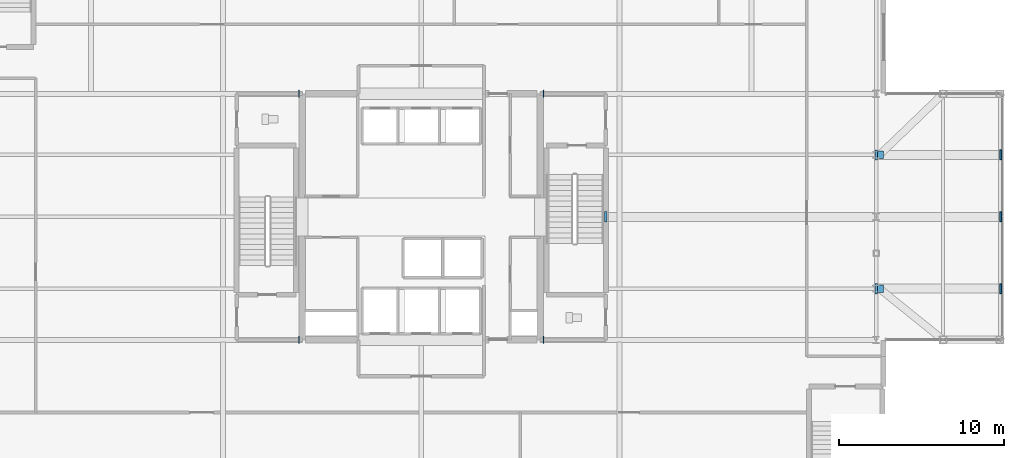
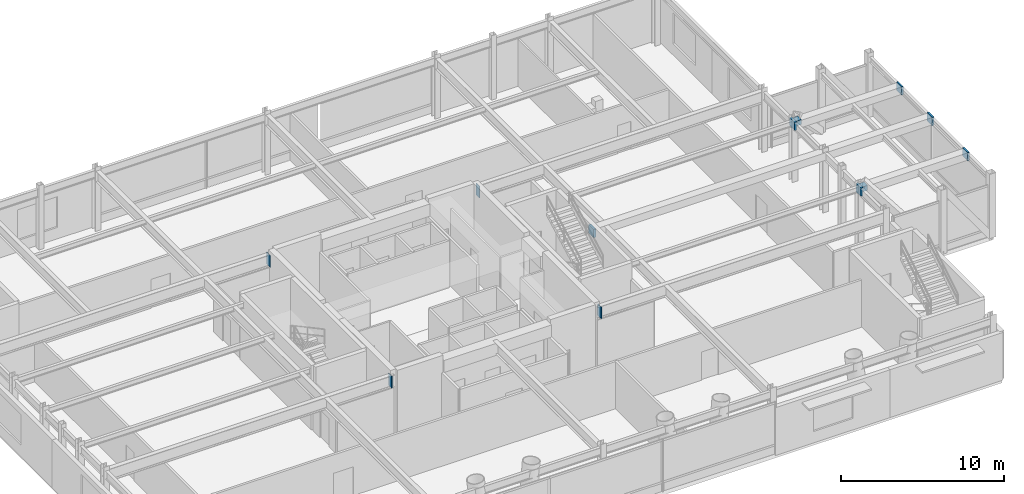
# One storey, part 18 of 26: 12 plates.
"""IFC4 building model written with IfcOpenShell, lengths in metres."""

import ifcopenshell
import ifcopenshell.guid

model = None  # the IFC model being written
_history = None  # IfcOwnerHistory: only IFC2X3 demands one
_inside = {}  # id of a spatial element -> (the spatial element, [elements in it])
_under = {}  # id of a project, library or spatial element -> (it, [spatial elements below it])
_declared = {}  # id of a project -> (the project, [libraries it declares])
_typed = {}  # id of a type object -> (the type object, [elements of that type])
_made_of = {}  # id of a material, layer set ... -> (it, [elements and type objects made of it])


def new_model(schema):
    """Start an empty IFC model of exactly this schema.

    Asked for "IFC4X3", IfcOpenShell would pick the latest addendum, in which some entities
    have other attributes; the version numbers below select the first issue.
    IFC2X3 requires an IfcOwnerHistory on every rooted entity: one is made here for all.
    """
    global model, _history
    if schema == "IFC4X3":
        model = ifcopenshell.file(schema_version=(4, 3, 0, 0))
    else:
        model = ifcopenshell.file(schema=schema)
    _inside.clear()
    _under.clear()
    _declared.clear()
    _typed.clear()
    _made_of.clear()
    _history = None
    if model.schema == "IFC2X3":
        org = make("IfcOrganization", Name="unknown")
        user = make(
            "IfcPersonAndOrganization",
            ThePerson=make("IfcPerson", FamilyName="unknown"),
            TheOrganization=org,
        )
        app = make(
            "IfcApplication",
            ApplicationDeveloper=org,
            Version="unknown",
            ApplicationFullName="unknown",
            ApplicationIdentifier="unknown",
        )
        _history = make(
            "IfcOwnerHistory",
            OwningUser=user,
            OwningApplication=app,
            ChangeAction="ADDED",
            CreationDate=0,
        )
    return model


def make(cls, **values):
    """One entity of the class cls with the attributes given. An attribute that is None is left unset."""
    return model.create_entity(
        cls, **{name: value for name, value in values.items() if value is not None}
    )


def rooted(cls, **values):
    """An entity with a GlobalId (a new one), such as an element, a storey or a relation."""
    return make(cls, GlobalId=ifcopenshell.guid.new(), OwnerHistory=_history, **values)


def si_unit(unit_type, name, prefix=None):
    """IfcSIUnit, for example si_unit("LENGTHUNIT", "METRE", prefix="MILLI")."""
    return make("IfcSIUnit", UnitType=unit_type, Prefix=prefix, Name=name)


def assignment(units):
    """IfcUnitAssignment: the units of a project."""
    return None if units is None else make("IfcUnitAssignment", Units=units)


def point(xyz):
    """IfcCartesianPoint."""
    return None if xyz is None else make("IfcCartesianPoint", Coordinates=xyz)


def direction(xyz):
    """IfcDirection."""
    return None if xyz is None else make("IfcDirection", DirectionRatios=xyz)


def frame(location, z_axis=None, x_axis=None):
    """IfcAxis2Placement3D, a coordinate frame: its origin and axes. An axis left out is left unset."""
    return make(
        "IfcAxis2Placement3D",
        Location=point(location),
        Axis=direction(z_axis),
        RefDirection=direction(x_axis),
    )


def frame_2d(location, x_axis=None):
    """IfcAxis2Placement2D, a coordinate frame in the plane: its origin and x axis."""
    return make(
        "IfcAxis2Placement2D", Location=point(location), RefDirection=direction(x_axis)
    )


def origin():
    """The frame at (0, 0, 0) with its axes left unset."""
    return frame((0.0, 0.0, 0.0))


def origin_2d():
    """The frame at (0, 0) in the plane with its x axis left unset."""
    return frame_2d((0.0, 0.0))


def place(relative_to, where):
    """IfcLocalPlacement: puts the frame where relative to a parent placement (None: the world)."""
    return make(
        "IfcLocalPlacement", PlacementRelTo=relative_to, RelativePlacement=where
    )


def context(
    kind, dimensions, precision=None, world=None, true_north=None, identifier=None
):
    """IfcGeometricRepresentationContext, for example the 3D "Model" context."""
    return make(
        "IfcGeometricRepresentationContext",
        ContextIdentifier=identifier,
        ContextType=kind,
        CoordinateSpaceDimension=dimensions,
        Precision=precision,
        WorldCoordinateSystem=world,
        TrueNorth=true_north,
    )


def subcontext(parent, identifier, kind, view, scale=None):
    """IfcGeometricRepresentationSubContext, for example "Body" below "Model"."""
    return make(
        "IfcGeometricRepresentationSubContext",
        ContextIdentifier=identifier,
        ContextType=kind,
        ParentContext=parent,
        TargetScale=scale,
        TargetView=view,
    )


def project(units=None, contexts=None):
    """IfcProject with its units and contexts."""
    return rooted(
        "IfcProject",
        Name="project",
        RepresentationContexts=contexts,
        UnitsInContext=assignment(units),
    )


def spatial(cls, under=None, at=None, **own):
    """A site, building, storey or space (cls), placed at a placement, below another one or the project."""
    s = rooted(cls, ObjectPlacement=at, **own)
    if under is not None:
        _under.setdefault(under.id(), (under, []))[1].append(s)
    return s


def profile(cls, at=None, kind="AREA", **sizes):
    """A parametric profile (cls). Its sizes go by their IFC names, for example OverallWidth=200.0."""
    return make(cls, ProfileType=kind, Position=at, **sizes)


def rectangle(**sizes):
    """IfcRectangleProfileDef."""
    return profile("IfcRectangleProfileDef", **sizes)


def extrude(swept, where, along, depth):
    """IfcExtrudedAreaSolid: the profile swept, set in the frame where, extruded along a direction by depth."""
    return make(
        "IfcExtrudedAreaSolid",
        SweptArea=swept,
        Position=where,
        ExtrudedDirection=direction(along),
        Depth=depth,
    )


def shape(context_of_items, identifier, shape_type, items):
    """IfcShapeRepresentation: the items that make up one representation, for example the "Body"."""
    return make(
        "IfcShapeRepresentation",
        ContextOfItems=context_of_items,
        RepresentationIdentifier=identifier,
        RepresentationType=shape_type,
        Items=items,
    )


def material(Name=None, Category=None):
    """IfcMaterial."""
    return make("IfcMaterial", Name=Name, Category=Category)


def layer(
    of_material, thickness, ventilated=None, Name=None, Category=None, Priority=None
):
    """IfcMaterialLayer: one layer of a wall or slab, of a material (None: an air gap)."""
    return make(
        "IfcMaterialLayer",
        Material=of_material,
        LayerThickness=thickness,
        IsVentilated=ventilated,
        Name=Name,
        Category=Category,
        Priority=Priority,
    )


def layer_set(layers, Name=None):
    """IfcMaterialLayerSet."""
    return make("IfcMaterialLayerSet", MaterialLayers=layers, LayerSetName=Name)


def made_of(thing, what):
    """Note that an element or type object is made of a material, layer set ...; save() writes the relation."""
    if what is not None:
        _made_of.setdefault(what.id(), (what, []))[1].append(thing)
    return thing


def type_object(cls, material=None, **own):
    """A type object (cls), such as IfcWallType, which elements share."""
    return made_of(rooted(cls, **own), material)


def element(
    cls,
    number,
    at=None,
    inside=None,
    cuts=None,
    type_object=None,
    material=None,
    context=None,
    identifier="Body",
    shape_type=None,
    held_by="IfcProductDefinitionShape",
    body=None,
    shapes=None,
    **own,
):
    """One element of the class cls, such as IfcWall. Its Tag is "e" and its number.

    at: its placement. inside: the storey or other place that contains it. cuts: it is an
    opening in that element (IfcRelVoidsElement). A single representation is given by context,
    identifier, shape_type and body (its items); several are given by shapes. held_by: the class
    of the entity that holds the representations. save() writes the other relations.
    """
    e = rooted(cls, Tag="e%d" % number, ObjectPlacement=at, **own)
    if body is not None:
        shapes = [shape(context, identifier, shape_type, body)]
    if shapes is not None:
        e.Representation = make(held_by, Representations=shapes)
    if inside is not None:
        _inside.setdefault(inside.id(), (inside, []))[1].append(e)
    if cuts is not None:
        rooted(
            "IfcRelVoidsElement", RelatingBuildingElement=cuts, RelatedOpeningElement=e
        )
    if type_object is not None:
        _typed.setdefault(type_object.id(), (type_object, []))[1].append(e)
    return made_of(e, material)


def aggregate(whole, parts):
    """IfcRelAggregates: a whole, such as a stair, and the parts it consists of."""
    return rooted("IfcRelAggregates", RelatingObject=whole, RelatedObjects=parts)


def save(model, path):
    """Write the relations noted so far, then the file.

    IfcRelAggregates (storeys below a building ...), IfcRelContainedInSpatialStructure (elements
    in a storey), IfcRelDefinesByType, IfcRelAssociatesMaterial and IfcRelDeclares: one each for
    every whole, place, type object, material and project.
    """
    for whole, parts in _under.values():
        aggregate(whole, parts)
    for where, things in _inside.values():
        rooted(
            "IfcRelContainedInSpatialStructure",
            RelatedElements=things,
            RelatingStructure=where,
        )
    for kind, things in _typed.values():
        rooted("IfcRelDefinesByType", RelatedObjects=things, RelatingType=kind)
    for what, things in _made_of.values():
        rooted("IfcRelAssociatesMaterial", RelatedObjects=things, RelatingMaterial=what)
    for by, libraries in _declared.values():
        rooted("IfcRelDeclares", RelatingContext=by, RelatedDefinitions=libraries)
    model.write(path)


model = new_model("IFC4")

# Units and contexts
model_context = context("Model", 3, precision=1e-05, world=origin(), true_north=direction((0.0, 1.0)))
body_context = subcontext(model_context, "Body", "Model", "MODEL_VIEW")
ifc_project = project(units=[si_unit("LENGTHUNIT", "METRE"), si_unit("AREAUNIT", "SQUARE_METRE"), si_unit("VOLUMEUNIT", "CUBIC_METRE"), si_unit("PLANEANGLEUNIT", "RADIAN"), si_unit("MASSUNIT", "GRAM", prefix="KILO")], contexts=[model_context])

# Site, building, storey
site_placement = place(None, origin())
site = spatial("IfcSite", under=ifc_project, at=site_placement, CompositionType="ELEMENT")
building_placement = place(site_placement, origin())
building = spatial("IfcBuilding", under=site, at=building_placement, Name="Veldorina Hangang Commons", CompositionType="ELEMENT")
storey_placement = place(building_placement, frame((0.0, 0.0, 5.199951171875)))
storey = spatial("IfcBuildingStorey", under=building, at=storey_placement, Name="L01", CompositionType="ELEMENT", Elevation=5.199951171875)

# Plates
ifc_material_1 = material(Name="Steel SM490-TMC", Category="steel")
ifc_layer_1 = layer(ifc_material_1, 0.044921875)
ifc_layer_set_1 = layer_set([ifc_layer_1], Name="Steel SM490-TMC")
plate_type_1 = type_object("IfcPlateType", Name="PL-NODE-45", PredefinedType="SHEET", material=ifc_layer_set_1)
for number, where, z_axis, x_axis, name in (
    (1, (24.60009765625, 16.550048828125, 3.610107421875), (0.0, 0.0, 1.0), (1.0, 0.0, 0.0), "L01 west collector girder GD core embed plate"),
    (2, (39.39990234375, 16.550048828125, 3.610107421875), (0.0, 0.0, 1.0), (1.0, 0.0, 0.0), "L01 east collector girder GD core embed plate"),
    (3, (24.60009765625, 31.449951171875, 3.610107421875), (0.0, 0.0, 1.0), (1.0, 0.0, 0.0), "L01 west collector girder GF core embed plate"),
    (4, (39.39990234375, 31.449951171875, 3.610107421875), (0.0, 0.0, 1.0), (1.0, 0.0, 0.0), "L01 east collector girder GF core embed plate"),
):
    element("IfcPlate", number, at=place(storey_placement, frame(where, z_axis=z_axis, x_axis=x_axis)), inside=storey, type_object=plate_type_1, Name=name, PredefinedType="SHEET", context=body_context, shape_type="SweptSolid", body=[
        extrude(rectangle(XDim=0.044921875, YDim=0.419921875, at=origin_2d()), origin(), (0.0, 0.0, 1.0), 0.8798828125),
    ])
plate_1_placement = place(storey_placement, frame((59.550048828125, 19.64990234375, 3.9150390625), z_axis=(0.0, 0.0, 1.0), x_axis=(1.0, 0.0, 0.0)))
element("IfcPlate", 5, at=plate_1_placement, inside=storey, type_object=plate_type_1, Name="L01 lounge girder S root cap", PredefinedType="SHEET", context=body_context, shape_type="SweptSolid", body=[
    extrude(rectangle(XDim=0.159912109375, YDim=0.6201171875, at=origin_2d()), origin(), (0.0, 0.0, 1.0), 0.6201171875),
])
plate_2_placement = place(storey_placement, frame((67.080078125, 19.64990234375, 3.9150390625), z_axis=(0.0, 0.0, 1.0), x_axis=(1.0, 0.0, 0.0)))
element("IfcPlate", 6, at=plate_2_placement, inside=storey, type_object=plate_type_1, Name="L01 lounge girder S tip end-cap plate", PredefinedType="SHEET", context=body_context, shape_type="SweptSolid", body=[
    extrude(rectangle(XDim=0.1201171875, YDim=0.6201171875, at=origin_2d()), origin(), (0.0, 0.0, 1.0), 0.6201171875),
])
plate_3_placement = place(storey_placement, frame((43.179931640625, 24.0, 3.9150390625), z_axis=(0.0, 0.0, 1.0), x_axis=(1.0, 0.0, 0.0)))
element("IfcPlate", 7, at=plate_3_placement, inside=storey, type_object=plate_type_1, Name="L01 lounge backspan inner end cap", PredefinedType="SHEET", context=body_context, shape_type="SweptSolid", body=[
    extrude(rectangle(XDim=0.159912109375, YDim=0.6201171875, at=origin_2d()), origin(), (0.0, 0.0, 1.0), 0.6201171875),
])
plate_4_placement = place(storey_placement, frame((67.080078125, 24.0, 3.9150390625), z_axis=(0.0, 0.0, 1.0), x_axis=(1.0, 0.0, 0.0)))
element("IfcPlate", 8, at=plate_4_placement, inside=storey, type_object=plate_type_1, Name="L01 lounge girder M tip end-cap plate", PredefinedType="SHEET", context=body_context, shape_type="SweptSolid", body=[
    extrude(rectangle(XDim=0.1201171875, YDim=0.6201171875, at=origin_2d()), origin(), (0.0, 0.0, 1.0), 0.6201171875),
])
plate_5_placement = place(storey_placement, frame((59.550048828125, 27.75, 3.9150390625), z_axis=(0.0, 0.0, 1.0), x_axis=(1.0, 0.0, 0.0)))
element("IfcPlate", 9, at=plate_5_placement, inside=storey, type_object=plate_type_1, Name="L01 lounge girder N root cap", PredefinedType="SHEET", context=body_context, shape_type="SweptSolid", body=[
    extrude(rectangle(XDim=0.159912109375, YDim=0.6201171875, at=origin_2d()), origin(), (0.0, 0.0, 1.0), 0.6201171875),
])
plate_6_placement = place(storey_placement, frame((67.080078125, 27.75, 3.9150390625), z_axis=(0.0, 0.0, 1.0), x_axis=(1.0, 0.0, 0.0)))
element("IfcPlate", 10, at=plate_6_placement, inside=storey, type_object=plate_type_1, Name="L01 lounge girder N tip end-cap plate", PredefinedType="SHEET", context=body_context, shape_type="SweptSolid", body=[
    extrude(rectangle(XDim=0.1201171875, YDim=0.6201171875, at=origin_2d()), origin(), (0.0, 0.0, 1.0), 0.6201171875),
])
ifc_material_2 = material(Name="Steel SM460-TMC", Category="steel")
ifc_layer_2 = layer(ifc_material_2, 0.035888671875)
ifc_layer_set_2 = layer_set([ifc_layer_2], Name="Steel SM460-TMC")
plate_type_2 = type_object("IfcPlateType", Name="PL-STAR-36", PredefinedType="USERDEFINED", material=ifc_layer_set_2)
for number, where, z_axis, x_axis, name in (
    (11, (59.75, 19.64990234375, 4.14013671875), (0.0, 0.0, 1.0), (1.0, 0.0, 0.0), "L01 lounge truss diagonal S-D1 node gusset plate"),
    (12, (59.75, 27.75, 4.14013671875), (0.0, 0.0, 1.0), (1.0, 0.0, 0.0), "L01 lounge truss diagonal N-D1 node gusset plate"),
):
    element("IfcPlate", number, at=place(storey_placement, frame(where, z_axis=z_axis, x_axis=x_axis)), inside=storey, type_object=plate_type_2, Name=name, ObjectType="GUSSET PLATE", PredefinedType="USERDEFINED", context=body_context, shape_type="SweptSolid", body=[
        extrude(rectangle(XDim=0.5, YDim=0.449951171875, at=origin_2d()), origin(), (0.0, 0.0, 1.0), 0.360107421875),
    ])

save(model, "model.ifc")
